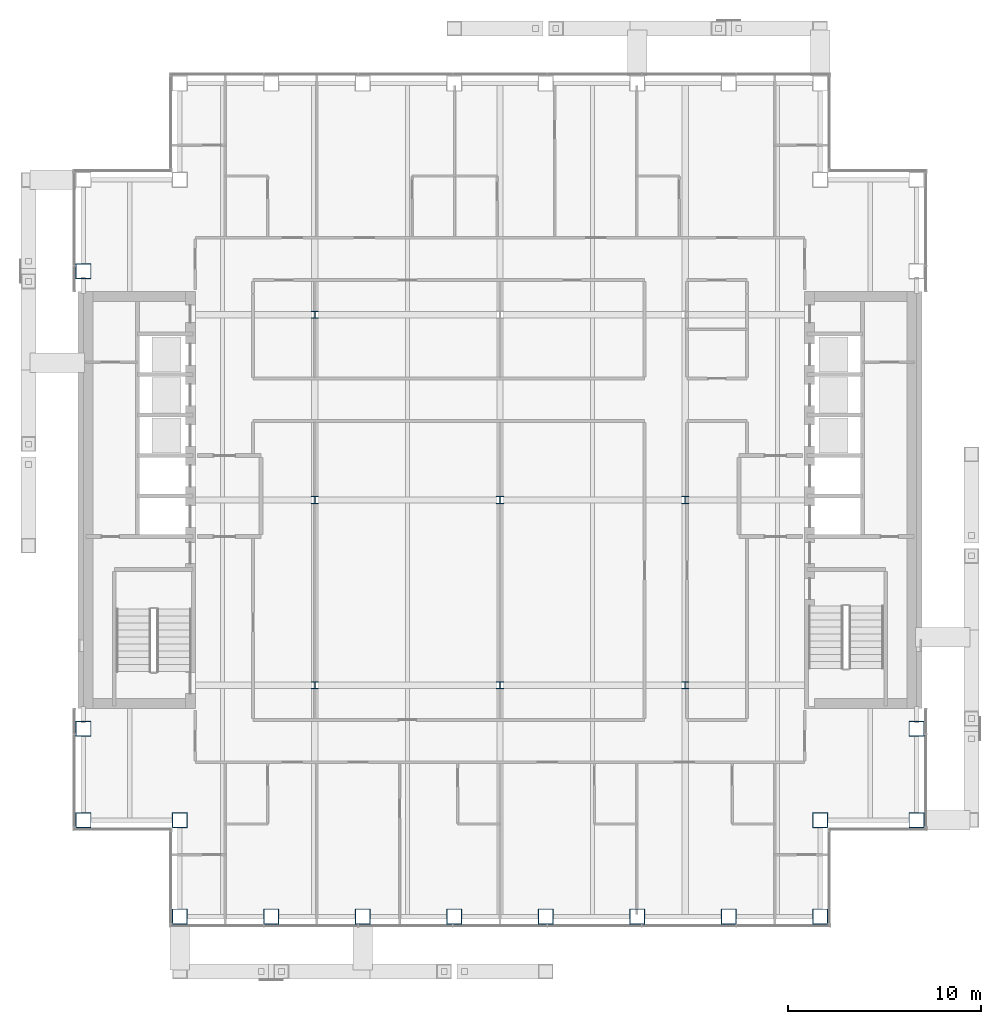
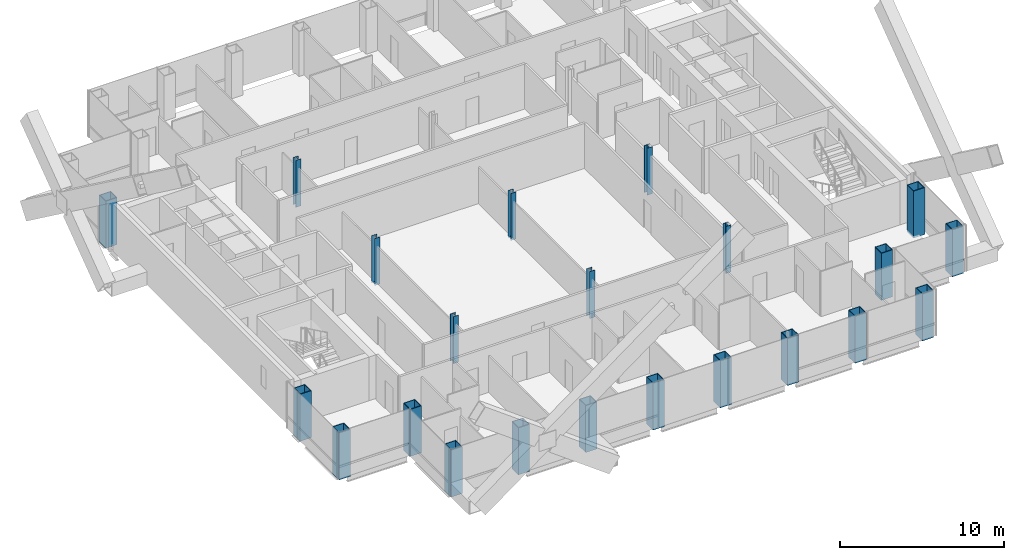
# One storey, part 1 of 16: 22 columns.
"""IFC4 building model written with IfcOpenShell, lengths in metres."""

from ifc_helpers import new_model, si_unit, direction, frame, origin, origin_2d, place, context, subcontext, project, spatial, hollow_rectangle, i_section, extrude, material, material_profile, profile_set, type_object, element, save


model = new_model("IFC4")

# Units and contexts
model_context = context("Model", 3, precision=1e-05, world=origin(), true_north=direction((0.0, 1.0)))
body_context = subcontext(model_context, "Body", "Model", "MODEL_VIEW")
ifc_project = project(units=[si_unit("LENGTHUNIT", "METRE"), si_unit("AREAUNIT", "SQUARE_METRE"), si_unit("VOLUMEUNIT", "CUBIC_METRE"), si_unit("PLANEANGLEUNIT", "RADIAN"), si_unit("MASSUNIT", "GRAM", prefix="KILO")], contexts=[model_context])

# Site, building, storey
site_placement = place(None, origin())
site = spatial("IfcSite", under=ifc_project, at=site_placement, CompositionType="ELEMENT")
building_placement = place(site_placement, origin())
building = spatial("IfcBuilding", under=site, at=building_placement, Name="Cobrizo Arcos Hotel Tower", CompositionType="ELEMENT")
storey_placement = place(building_placement, frame((0.0, 0.0, 172.5)))
storey = spatial("IfcBuildingStorey", under=building, at=storey_placement, Name="L44", CompositionType="ELEMENT", Elevation=172.5)

# Columns
ifc_material_1 = material(Name="Steel ASTM A572 Grade 50", Category="steel")
ifc_material_profile_1 = material_profile(ifc_material_1, hollow_rectangle(XDim=0.800048828125, YDim=0.800048828125, WallThickness=0.044921875, at=origin_2d()), Name="BOX 800X800X45")
ifc_profile_set_1 = profile_set([ifc_material_profile_1], Name="Steel ASTM A572 Grade 50")
column_type_1 = type_object("IfcColumnType", Name="BOX 800X800X45 column", PredefinedType="COLUMN", material=ifc_profile_set_1)
for number, where, z_axis, x_axis, name in (
    (1, (-16.60009765625, -21.60009765625, -0.14990234375), (0.0, 0.0, 1.0), (1.0, 0.0, 0.0), "Perimeter column C8, L44, no. 01"),
    (2, (-11.85693359375, -21.60009765625, -0.14990234375), (0.0, 0.0, 1.0), (1.0, 0.0, 0.0), "Perimeter column C8, L44, no. 03"),
    (3, (-7.114013671875, -21.60009765625, -0.14990234375), (0.0, 0.0, 1.0), (1.0, 0.0, 0.0), "Perimeter column C8, L44, no. 05"),
    (4, (-2.37109375, -21.60009765625, -0.14990234375), (0.0, 0.0, 1.0), (1.0, 0.0, 0.0), "Perimeter column C8, L44, no. 07"),
    (5, (2.37109375, -21.60009765625, -0.14990234375), (0.0, 0.0, 1.0), (1.0, 0.0, 0.0), "Perimeter column C8, L44, no. 09"),
    (6, (7.114013671875, -21.60009765625, -0.14990234375), (0.0, 0.0, 1.0), (1.0, 0.0, 0.0), "Perimeter column C8, L44, no. 11"),
    (7, (11.85693359375, -21.60009765625, -0.14990234375), (0.0, 0.0, 1.0), (1.0, 0.0, 0.0), "Perimeter column C8, L44, no. 13"),
    (8, (16.60009765625, -21.60009765625, -0.14990234375), (0.0, 0.0, 1.0), (1.0, 0.0, 0.0), "Perimeter column C8, L44, no. 15"),
    (9, (21.60009765625, -16.60009765625, -0.14990234375), (0.0, 0.0, 1.0), (1.0, 0.0, 0.0), "Perimeter column C8, L44, no. 16"),
    (10, (-21.60009765625, -16.60009765625, -0.14990234375), (0.0, 0.0, 1.0), (1.0, 0.0, 0.0), "Perimeter column C8, L44, no. 17"),
    (11, (21.60009765625, -11.85693359375, -0.14990234375), (0.0, 0.0, 1.0), (1.0, 0.0, 0.0), "Perimeter column C8, L44, no. 18"),
    (12, (-21.60009765625, -11.85693359375, -0.14990234375), (0.0, 0.0, 1.0), (1.0, 0.0, 0.0), "Perimeter column C8, L44, no. 19"),
    (13, (-21.60009765625, 11.85693359375, -0.14990234375), (0.0, 0.0, 1.0), (1.0, 0.0, 0.0), "Perimeter column C8, L44, no. 21"),
    (14, (-16.60009765625, -16.60009765625, -0.14990234375), (0.0, 0.0, 1.0), (1.0, 0.0, 0.0), "Perimeter column C8, L44, no. 24"),
    (15, (16.60009765625, -16.60009765625, -0.14990234375), (0.0, 0.0, 1.0), (1.0, 0.0, 0.0), "Perimeter column C8, L44, no. 26"),
):
    element("IfcColumn", number, at=place(storey_placement, frame(where, z_axis=z_axis, x_axis=x_axis)), inside=storey, type_object=column_type_1, Name=name, PredefinedType="COLUMN", context=body_context, shape_type="SweptSolid", body=[
        extrude(hollow_rectangle(XDim=0.800048828125, YDim=0.800048828125, WallThickness=0.044921875, at=origin_2d()), origin(), (0.0, 0.0, 1.0), 3.5),
    ])
ifc_material_2 = material(Name="Steel ASTM A992 Grade 50", Category="steel")
ifc_material_profile_2 = material_profile(ifc_material_2, i_section(OverallWidth=0.373291015625, OverallDepth=0.373291015625, WebThickness=0.016357421875, FlangeThickness=0.026123046875, at=origin_2d()), Name="W14X132")
ifc_profile_set_2 = profile_set([ifc_material_profile_2], Name="Steel ASTM A992 Grade 50")
column_type_2 = type_object("IfcColumnType", Name="W14X132 interior column", PredefinedType="COLUMN", material=ifc_profile_set_2)
for number, where, z_axis, x_axis, name in (
    (16, (-9.60009765625, -9.60009765625, -0.14990234375), (0.0, 0.0, 1.0), (1.0, 0.0, 0.0), "Interior column C9, L44, no. 00"),
    (17, (-9.60009765625, 0.0, -0.14990234375), (0.0, 0.0, 1.0), (1.0, 0.0, 0.0), "Interior column C9, L44, no. 01"),
    (18, (-9.60009765625, 9.60009765625, -0.14990234375), (0.0, 0.0, 1.0), (1.0, 0.0, 0.0), "Interior column C9, L44, no. 02"),
    (19, (0.0, -9.60009765625, -0.14990234375), (0.0, 0.0, 1.0), (1.0, 0.0, 0.0), "Interior column C9, L44, no. 03"),
    (20, (0.0, 0.0, -0.14990234375), (0.0, 0.0, 1.0), (1.0, 0.0, 0.0), "Interior column C9, L44, no. 04"),
    (21, (9.60009765625, -9.60009765625, -0.14990234375), (0.0, 0.0, 1.0), (1.0, 0.0, 0.0), "Interior column C9, L44, no. 06"),
    (22, (9.60009765625, 0.0, -0.14990234375), (0.0, 0.0, 1.0), (1.0, 0.0, 0.0), "Interior column C9, L44, no. 07"),
):
    element("IfcColumn", number, at=place(storey_placement, frame(where, z_axis=z_axis, x_axis=x_axis)), inside=storey, type_object=column_type_2, Name=name, PredefinedType="COLUMN", context=body_context, shape_type="SweptSolid", body=[
        extrude(i_section(OverallWidth=0.373291015625, OverallDepth=0.373291015625, WebThickness=0.016357421875, FlangeThickness=0.026123046875, at=origin_2d()), origin(), (0.0, 0.0, 1.0), 3.5),
    ])

save(model, "model.ifc")
